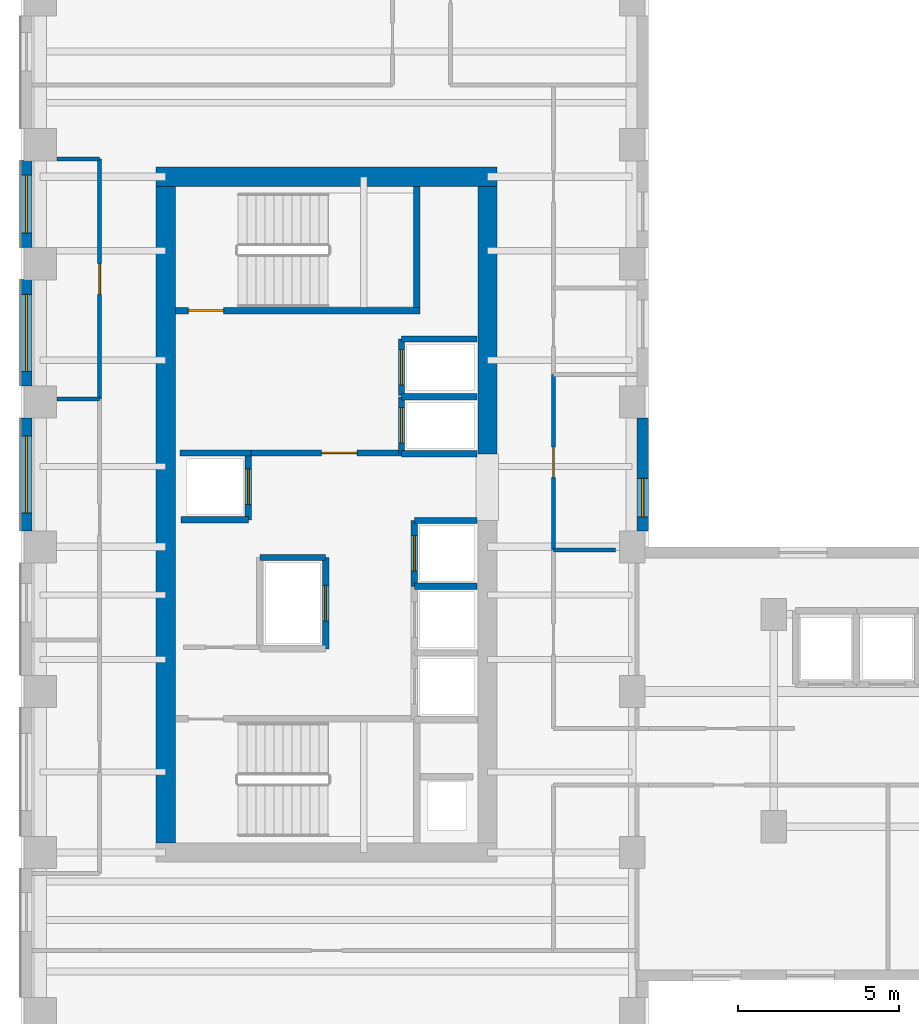
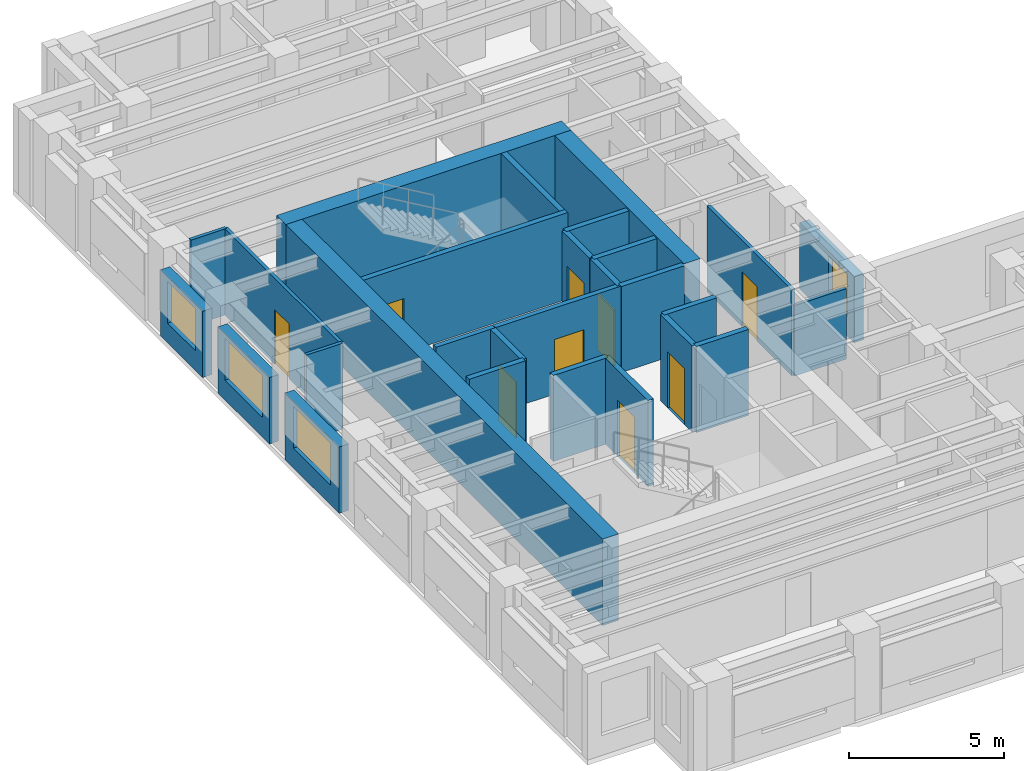
# One storey, part 6 of 12: 28 walls, 9 doors, 4 windows, 13 openings.
"""IFC4 building model written with IfcOpenShell, lengths in metres."""

from ifc_helpers import new_model, si_unit, direction, frame, frame_2d, origin, place, context, subcontext, project, spatial, rectangle, extrude, source, transform, mapped, material, layer, layer_set, type_object, element, fill, save


model = new_model("IFC4")

# Units and contexts
model_context = context("Model", 3, precision=1e-05, world=origin(), true_north=direction((0.0, 1.0)))
body_context = subcontext(model_context, "Body", "Model", "MODEL_VIEW")
ifc_project = project(units=[si_unit("LENGTHUNIT", "METRE"), si_unit("AREAUNIT", "SQUARE_METRE"), si_unit("VOLUMEUNIT", "CUBIC_METRE"), si_unit("PLANEANGLEUNIT", "RADIAN"), si_unit("MASSUNIT", "GRAM", prefix="KILO")], contexts=[model_context])

# Site, building, storey
site_placement = place(None, origin())
site = spatial("IfcSite", under=ifc_project, at=site_placement, CompositionType="ELEMENT")
building_placement = place(site_placement, origin())
building = spatial("IfcBuilding", under=site, at=building_placement, Name="Kharzan Plaza Tower", CompositionType="ELEMENT")
storey_placement = place(building_placement, frame((0.0, 0.0, 146.699951171875)))
storey = spatial("IfcBuildingStorey", under=building, at=storey_placement, Name="L39", CompositionType="ELEMENT", Elevation=146.699951171875)

# Wall, opening, window
ifc_material_1 = material(Name="Concrete C40/50", Category="concrete")
ifc_layer_1 = layer(ifc_material_1, 0.35009765625)
ifc_layer_set_1 = layer_set([ifc_layer_1], Name="Concrete C40/50")
wall_type_1 = type_object("IfcWallType", Name="WL-EXT-MAS-Z3", PredefinedType="SOLIDWALL", material=ifc_layer_set_1)
wall_1_placement = place(storey_placement, frame((0.175048828125, 30.001953125, 0.0), z_axis=(0.0, 0.0, 1.0), x_axis=(0.0, -1.0, 0.0)))
wall_1 = element("IfcWall", 1, at=wall_1_placement, inside=storey, type_object=wall_type_1, Name="L39 Masonry-Frame Exterior Wall 12", PredefinedType="SOLIDWALL", context=body_context, shape_type="SweptSolid", body=[
    extrude(rectangle(XDim=2.703857421875, YDim=0.35009765625, at=frame_2d((1.35205078125, 0.0))), origin(), (0.0, 0.0, 1.0), 2.612060546875),
])
opening_1_placement = place(wall_1_placement, frame((0.451904296875, 0.0, 0.780029296875)))
opening_1 = element("IfcOpeningElement", 2, at=opening_1_placement, cuts=wall_1, Name="Opening W1", PredefinedType="OPENING", context=body_context, shape_type="SweptSolid", body=[
    extrude(rectangle(XDim=1.800048828125, YDim=1.652099609375, at=frame_2d((0.89990234375, 0.826171875))), frame((0.0, 0.18505859375, 0.0), z_axis=(0.0, -1.0, 0.0), x_axis=(1.0, 0.0, 0.0)), (0.0, 0.0, 1.0), 0.3701171875),
])
ifc_material_2 = material(Name="Low-E Double Glazing", Category="glass")
window_type_1 = type_object("IfcWindowType", Name="WN-REC-1800x2100", PartitioningType="SINGLE_PANEL", PredefinedType="WINDOW", material=ifc_material_2)
shared_shape_1 = source(origin(), body_context, "Body", "SweptSolid", [
    extrude(rectangle(XDim=1.800048828125, YDim=1.652099609375, at=frame_2d((0.89990234375, 0.826171875))), frame((0.0, 0.030029296875, 0.0), z_axis=(0.0, -1.0, 0.0), x_axis=(1.0, 0.0, 0.0)), (0.0, 0.0, 1.0), 0.06005859375),
])
window_1_placement = place(opening_1_placement, origin())
window_1 = element("IfcWindow", 3, at=window_1_placement, inside=storey, type_object=window_type_1, Name="L39 Recessed Solar-Control Window 12-1", OverallHeight=1.652099609375, OverallWidth=1.800048828125, PartitioningType="SINGLE_PANEL", PredefinedType="WINDOW", context=body_context, shape_type="MappedRepresentation", body=[
    mapped(shared_shape_1, transform((0.0, 0.0, 0.0), x_axis=(1.0, 0.0, 0.0), y_axis=(0.0, 1.0, 0.0), z_axis=(0.0, 0.0, 1.0))),
])
fill(opening_1, window_1)

wall_2_placement = place(storey_placement, frame((0.175048828125, 26.302001953125, 0.0), z_axis=(0.0, 0.0, 1.0), x_axis=(0.0, -1.0, 0.0)))
wall_2 = element("IfcWall", 4, at=wall_2_placement, inside=storey, type_object=wall_type_1, Name="L39 Masonry-Frame Exterior Wall 13", PredefinedType="SOLIDWALL", context=body_context, shape_type="SweptSolid", body=[
    extrude(rectangle(XDim=3.303955078125, YDim=0.35009765625, at=frame_2d((1.65185546875, 0.0))), origin(), (0.0, 0.0, 1.0), 2.612060546875),
])
opening_2_placement = place(wall_2_placement, frame((0.451904296875, 0.0, 0.780029296875)))
opening_2 = element("IfcOpeningElement", 5, at=opening_2_placement, cuts=wall_2, Name="Opening W2", PredefinedType="OPENING", context=body_context, shape_type="SweptSolid", body=[
    extrude(rectangle(XDim=2.39990234375, YDim=1.652099609375, at=frame_2d((1.199951171875, 0.826171875))), frame((0.0, 0.18505859375, 0.0), z_axis=(0.0, -1.0, 0.0), x_axis=(1.0, 0.0, 0.0)), (0.0, 0.0, 1.0), 0.3701171875),
])
window_type_2 = type_object("IfcWindowType", Name="WN-REC-2400x2100", PartitioningType="SINGLE_PANEL", PredefinedType="WINDOW", material=ifc_material_2)
shared_shape_2 = source(origin(), body_context, "Body", "SweptSolid", [
    extrude(rectangle(XDim=2.39990234375, YDim=1.652099609375, at=frame_2d((1.199951171875, 0.826171875))), frame((0.0, 0.030029296875, 0.0), z_axis=(0.0, -1.0, 0.0), x_axis=(1.0, 0.0, 0.0)), (0.0, 0.0, 1.0), 0.06005859375),
])
window_2_placement = place(opening_2_placement, origin())
window_2 = element("IfcWindow", 6, at=window_2_placement, inside=storey, type_object=window_type_2, Name="L39 Wide Recessed Solar-Control Window 13-1", OverallHeight=1.652099609375, OverallWidth=2.39990234375, PartitioningType="SINGLE_PANEL", PredefinedType="WINDOW", context=body_context, shape_type="MappedRepresentation", body=[
    mapped(shared_shape_2, transform((0.0, 0.0, 0.0), x_axis=(1.0, 0.0, 0.0), y_axis=(0.0, 1.0, 0.0), z_axis=(0.0, 0.0, 1.0))),
])
fill(opening_2, window_2)

wall_3_placement = place(storey_placement, frame((0.175048828125, 22.001953125, 0.0), z_axis=(0.0, 0.0, 1.0), x_axis=(0.0, -1.0, 0.0)))
wall_3 = element("IfcWall", 7, at=wall_3_placement, inside=storey, type_object=wall_type_1, Name="L39 Masonry-Frame Exterior Wall 14", PredefinedType="SOLIDWALL", context=body_context, shape_type="SweptSolid", body=[
    extrude(rectangle(XDim=3.50390625, YDim=0.35009765625, at=frame_2d((1.751953125, 0.0))), origin(), (0.0, 0.0, 1.0), 2.612060546875),
])
opening_3_placement = place(wall_3_placement, frame((0.552001953125, 0.0, 0.780029296875)))
opening_3 = element("IfcOpeningElement", 8, at=opening_3_placement, cuts=wall_3, Name="Opening W2", PredefinedType="OPENING", context=body_context, shape_type="SweptSolid", body=[
    extrude(rectangle(XDim=2.39990234375, YDim=1.652099609375, at=frame_2d((1.199951171875, 0.826171875))), frame((0.0, 0.18505859375, 0.0), z_axis=(0.0, -1.0, 0.0), x_axis=(1.0, 0.0, 0.0)), (0.0, 0.0, 1.0), 0.3701171875),
])
window_3_placement = place(opening_3_placement, origin())
window_3 = element("IfcWindow", 9, at=window_3_placement, inside=storey, type_object=window_type_2, Name="L39 Wide Recessed Solar-Control Window 14-1", OverallHeight=1.652099609375, OverallWidth=2.39990234375, PartitioningType="SINGLE_PANEL", PredefinedType="WINDOW", context=body_context, shape_type="MappedRepresentation", body=[
    mapped(shared_shape_2, transform((0.0, 0.0, 0.0), x_axis=(1.0, 0.0, 0.0), y_axis=(0.0, 1.0, 0.0), z_axis=(0.0, 0.0, 1.0))),
])
fill(opening_3, window_3)

wall_4_placement = place(storey_placement, frame((19.324951171875, 18.498046875, 0.0), z_axis=(0.0, 0.0, 1.0), x_axis=(0.0, 1.0, 0.0)))
wall_4 = element("IfcWall", 10, at=wall_4_placement, inside=storey, type_object=wall_type_1, Name="L39 Masonry-Frame Exterior Wall 45", PredefinedType="SOLIDWALL", context=body_context, shape_type="SweptSolid", body=[
    extrude(rectangle(XDim=3.50390625, YDim=0.35009765625, at=frame_2d((1.751953125, 0.0))), origin(), (0.0, 0.0, 1.0), 2.612060546875),
])
opening_4_placement = place(wall_4_placement, frame((0.4326171875, 0.0, 0.780029296875)))
opening_4 = element("IfcOpeningElement", 11, at=opening_4_placement, cuts=wall_4, Name="Opening W3", PredefinedType="OPENING", context=body_context, shape_type="SweptSolid", body=[
    extrude(rectangle(XDim=1.199951171875, YDim=1.652099609375, at=frame_2d((0.60009765625, 0.826171875))), frame((0.0, 0.18505859375, 0.0), z_axis=(0.0, -1.0, 0.0), x_axis=(1.0, 0.0, 0.0)), (0.0, 0.0, 1.0), 0.3701171875),
])
window_type_3 = type_object("IfcWindowType", Name="WN-REC-1200x2100", PartitioningType="SINGLE_PANEL", PredefinedType="WINDOW", material=ifc_material_2)
shared_shape_3 = source(origin(), body_context, "Body", "SweptSolid", [
    extrude(rectangle(XDim=1.199951171875, YDim=1.652099609375, at=frame_2d((0.60009765625, 0.826171875))), frame((0.0, 0.030029296875, 0.0), z_axis=(0.0, -1.0, 0.0), x_axis=(1.0, 0.0, 0.0)), (0.0, 0.0, 1.0), 0.06005859375),
])
window_4_placement = place(opening_4_placement, origin())
window_4 = element("IfcWindow", 12, at=window_4_placement, inside=storey, type_object=window_type_3, Name="L39 Recessed Solar-Control Window 45-1", OverallHeight=1.652099609375, OverallWidth=1.199951171875, PartitioningType="SINGLE_PANEL", PredefinedType="WINDOW", context=body_context, shape_type="MappedRepresentation", body=[
    mapped(shared_shape_3, transform((0.0, 0.0, 0.0), x_axis=(1.0, 0.0, 0.0), y_axis=(0.0, 1.0, 0.0), z_axis=(0.0, 0.0, 1.0))),
])
fill(opening_4, window_4)

# Wall, opening, door
ifc_layer_2 = layer(ifc_material_1, 0.179931640625)
ifc_layer_set_2 = layer_set([ifc_layer_2], Name="Concrete C40/50")
wall_type_2 = type_object("IfcWallType", Name="WL-INT-FIRE-180", PredefinedType="PARTITIONING", material=ifc_layer_set_2)
wall_5_placement = place(storey_placement, frame((7.14990234375, 20.919921875, 0.0), z_axis=(0.0, 0.0, 1.0), x_axis=(1.0, 0.0, 0.0)))
wall_5 = element("IfcWall", 13, at=wall_5_placement, inside=storey, type_object=wall_type_2, Name="L39 Interior Partition CA-FF-S", PredefinedType="PARTITIONING", context=body_context, shape_type="SweptSolid", body=[
    extrude(rectangle(XDim=4.68017578125, YDim=0.179931640625, at=frame_2d((2.340087890625, 0.0))), origin(), (0.0, 0.0, 1.0), 3.385009765625),
])
opening_5_placement = place(wall_5_placement, frame((2.199951171875, 0.0, 0.0)))
opening_5 = element("IfcOpeningElement", 14, at=opening_5_placement, cuts=wall_5, Name="Opening FD1", PredefinedType="OPENING", context=body_context, shape_type="SweptSolid", body=[
    extrude(rectangle(XDim=1.10009765625, YDim=2.14990234375, at=frame_2d((0.550048828125, 1.074951171875))), frame((0.0, 0.099853515625, 0.0), z_axis=(0.0, -1.0, 0.0), x_axis=(1.0, 0.0, 0.0)), (0.0, 0.0, 1.0), 0.199951171875),
])
ifc_material_3 = material(Name="Fire-Rated Acoustic Vision-Panel Steel", Category="steel")
door_type_1 = type_object("IfcDoorType", Name="DR-FIRE-LOBBY", OperationType="NOTDEFINED", PredefinedType="DOOR", material=ifc_material_3)
shared_shape_4 = source(origin(), body_context, "Body", "SweptSolid", [
    extrude(rectangle(XDim=1.10009765625, YDim=2.14990234375, at=frame_2d((0.550048828125, 1.074951171875))), frame((0.0, 0.02490234375, 0.0), z_axis=(0.0, -1.0, 0.0), x_axis=(1.0, 0.0, 0.0)), (0.0, 0.0, 1.0), 0.050048828125),
])
door_1_placement = place(opening_5_placement, origin())
door_1 = element("IfcDoor", 15, at=door_1_placement, inside=storey, type_object=door_type_1, Name="L39 Firefighting Lobby Door", OperationType="SINGLE_SWING_LEFT", OverallHeight=2.14990234375, OverallWidth=1.10009765625, PredefinedType="DOOR", context=body_context, shape_type="MappedRepresentation", body=[
    mapped(shared_shape_4, transform((0.0, 0.0, 0.0), x_axis=(1.0, 0.0, 0.0), y_axis=(0.0, 1.0, 0.0), z_axis=(0.0, 0.0, 1.0))),
])
fill(opening_5, door_1)

ifc_material_4 = material(Name="Fire-Rated Gypsum Board Partition", Category="gypsum")
ifc_layer_3 = layer(ifc_material_4, 0.125)
ifc_layer_set_3 = layer_set([ifc_layer_3], Name="Fire-Rated Gypsum Board Partition")
wall_type_3 = type_object("IfcWallType", Name="WL-INT-PART-125", PredefinedType="PARTITIONING", material=ifc_layer_set_3)
wall_6_placement = place(storey_placement, frame((16.550048828125, 17.89990234375, 0.0), z_axis=(0.0, 0.0, 1.0), x_axis=(0.0, 1.0, 0.0)))
wall_6 = element("IfcWall", 16, at=wall_6_placement, inside=storey, type_object=wall_type_3, Name="L39 Interior Partition SH-AEWN2", PredefinedType="PARTITIONING", context=body_context, shape_type="SweptSolid", body=[
    extrude(rectangle(XDim=5.4501953125, YDim=0.125, at=frame_2d((2.72509765625, 0.0))), origin(), (0.0, 0.0, 1.0), 3.385009765625),
])
opening_6_placement = place(wall_6_placement, frame((2.25, 0.0, 0.0)))
opening_6 = element("IfcOpeningElement", 17, at=opening_6_placement, cuts=wall_6, Name="Opening OD1", PredefinedType="OPENING", context=body_context, shape_type="SweptSolid", body=[
    extrude(rectangle(XDim=0.949951171875, YDim=2.14990234375, at=frame_2d((0.47509765625, 1.074951171875))), frame((0.0, 0.072509765625, 0.0), z_axis=(0.0, -1.0, 0.0), x_axis=(1.0, 0.0, 0.0)), (0.0, 0.0, 1.0), 0.14501953125),
])
ifc_material_5 = material(Name="Acoustic Solid-Core Stained Oak", Category="timber")
door_type_2 = type_object("IfcDoorType", Name="DR-OFF-SINGLE", OperationType="NOTDEFINED", PredefinedType="DOOR", material=ifc_material_5)
shared_shape_5 = source(origin(), body_context, "Body", "SweptSolid", [
    extrude(rectangle(XDim=0.949951171875, YDim=2.14990234375, at=frame_2d((0.47509765625, 1.074951171875))), frame((0.0, 0.02490234375, 0.0), z_axis=(0.0, -1.0, 0.0), x_axis=(1.0, 0.0, 0.0)), (0.0, 0.0, 1.0), 0.050048828125),
])
door_2_placement = place(opening_6_placement, origin())
door_2 = element("IfcDoor", 18, at=door_2_placement, inside=storey, type_object=door_type_2, Name="L39 Slot Studio Door", OperationType="SINGLE_SWING_LEFT", OverallHeight=2.14990234375, OverallWidth=0.949951171875, PredefinedType="DOOR", context=body_context, shape_type="MappedRepresentation", body=[
    mapped(shared_shape_5, transform((0.0, 0.0, 0.0), x_axis=(1.0, 0.0, 0.0), y_axis=(0.0, 1.0, 0.0), z_axis=(0.0, 0.0, 1.0))),
])
fill(opening_6, door_2)

wall_7_placement = place(storey_placement, frame((2.449951171875, 22.60009765625, 0.0), z_axis=(0.0, 0.0, 1.0), x_axis=(0.0, 1.0, 0.0)))
wall_7 = element("IfcWall", 19, at=wall_7_placement, inside=storey, type_object=wall_type_3, Name="L39 Interior Partition SH-WW-3", PredefinedType="PARTITIONING", context=body_context, shape_type="SweptSolid", body=[
    extrude(rectangle(XDim=7.449951171875, YDim=0.125, at=frame_2d((3.72509765625, 0.0))), origin(), (0.0, 0.0, 1.0), 3.385009765625),
])
opening_7_placement = place(wall_7_placement, frame((3.25, 0.0, 0.0)))
opening_7 = element("IfcOpeningElement", 20, at=opening_7_placement, cuts=wall_7, Name="Opening OD1", PredefinedType="OPENING", context=body_context, shape_type="SweptSolid", body=[
    extrude(rectangle(XDim=0.949951171875, YDim=2.14990234375, at=frame_2d((0.47509765625, 1.074951171875))), frame((0.0, 0.072509765625, 0.0), z_axis=(0.0, -1.0, 0.0), x_axis=(1.0, 0.0, 0.0)), (0.0, 0.0, 1.0), 0.14501953125),
])
door_3_placement = place(opening_7_placement, origin())
door_3 = element("IfcDoor", 21, at=door_3_placement, inside=storey, type_object=door_type_2, Name="L39 Staff Tea Pantry Door", OperationType="SINGLE_SWING_LEFT", OverallHeight=2.14990234375, OverallWidth=0.949951171875, PredefinedType="DOOR", context=body_context, shape_type="MappedRepresentation", body=[
    mapped(shared_shape_5, transform((0.0, 0.0, 0.0), x_axis=(1.0, 0.0, 0.0), y_axis=(0.0, 1.0, 0.0), z_axis=(0.0, 0.0, 1.0))),
])
fill(opening_7, door_3)

ifc_layer_4 = layer(ifc_material_1, 0.199951171875)
ifc_layer_set_4 = layer_set([ifc_layer_4], Name="Concrete C40/50")
wall_type_4 = type_object("IfcWallType", Name="WL-INT-SHAFT-200", PredefinedType="PARTITIONING", material=ifc_layer_set_4)
wall_8_placement = place(storey_placement, frame((11.830078125, 20.89990234375, 0.0), z_axis=(0.0, 0.0, 1.0), x_axis=(0.0, 1.0, 0.0)))
wall_8 = element("IfcWall", 22, at=wall_8_placement, inside=storey, type_object=wall_type_4, Name="L39 Interior Partition SHF-FFL-1-W", PredefinedType="PARTITIONING", context=body_context, shape_type="SweptSolid", body=[
    extrude(rectangle(XDim=1.760009765625, YDim=0.199951171875, at=frame_2d((0.8798828125, 0.0))), origin(), (0.0, 0.0, 1.0), 3.385009765625),
])
opening_8_placement = place(wall_8_placement, frame((0.330078125, 0.0, 0.0)))
opening_8 = element("IfcOpeningElement", 23, at=opening_8_placement, cuts=wall_8, Name="Opening LD", PredefinedType="OPENING", context=body_context, shape_type="SweptSolid", body=[
    extrude(rectangle(XDim=1.10009765625, YDim=2.199951171875, at=frame_2d((0.550048828125, 1.10009765625))), frame((0.0, 0.10986328125, 0.0), z_axis=(0.0, -1.0, 0.0), x_axis=(1.0, 0.0, 0.0)), (0.0, 0.0, 1.0), 0.219970703125),
])
ifc_material_6 = material(Name="Brushed Stainless Steel", Category="steel")
door_type_3 = type_object("IfcDoorType", Name="DR-LIFT-SLIDE", OperationType="SLIDING_TO_LEFT", PredefinedType="DOOR", material=ifc_material_6)
shared_shape_6 = source(origin(), body_context, "Body", "SweptSolid", [
    extrude(rectangle(XDim=1.10009765625, YDim=2.199951171875, at=frame_2d((0.550048828125, 1.10009765625))), frame((0.0, 0.02490234375, 0.0), z_axis=(0.0, -1.0, 0.0), x_axis=(1.0, 0.0, 0.0)), (0.0, 0.0, 1.0), 0.050048828125),
])
door_4_placement = place(opening_8_placement, origin())
door_4 = element("IfcDoor", 24, at=door_4_placement, inside=storey, type_object=door_type_3, Name="L39 Firefighting Lift FFL-1 Sliding Landing Door", OperationType="SLIDING_TO_LEFT", OverallHeight=2.199951171875, OverallWidth=1.10009765625, PredefinedType="DOOR", context=body_context, shape_type="MappedRepresentation", body=[
    mapped(shared_shape_6, transform((0.0, 0.0, 0.0), x_axis=(1.0, 0.0, 0.0), y_axis=(0.0, 1.0, 0.0), z_axis=(0.0, 0.0, 1.0))),
])
fill(opening_8, door_4)

wall_9_placement = place(storey_placement, frame((11.830078125, 22.699951171875, 0.0), z_axis=(0.0, 0.0, 1.0), x_axis=(0.0, 1.0, 0.0)))
wall_9 = element("IfcWall", 25, at=wall_9_placement, inside=storey, type_object=wall_type_4, Name="L39 Interior Partition SHF-FFL-2-W", PredefinedType="PARTITIONING", context=body_context, shape_type="SweptSolid", body=[
    extrude(rectangle(XDim=1.760009765625, YDim=0.199951171875, at=frame_2d((0.8798828125, 0.0))), origin(), (0.0, 0.0, 1.0), 3.385009765625),
])
opening_9_placement = place(wall_9_placement, frame((0.330078125, 0.0, 0.0)))
opening_9 = element("IfcOpeningElement", 26, at=opening_9_placement, cuts=wall_9, Name="Opening LD", PredefinedType="OPENING", context=body_context, shape_type="SweptSolid", body=[
    extrude(rectangle(XDim=1.10009765625, YDim=2.199951171875, at=frame_2d((0.550048828125, 1.10009765625))), frame((0.0, 0.10986328125, 0.0), z_axis=(0.0, -1.0, 0.0), x_axis=(1.0, 0.0, 0.0)), (0.0, 0.0, 1.0), 0.219970703125),
])
door_5_placement = place(opening_9_placement, origin())
door_5 = element("IfcDoor", 27, at=door_5_placement, inside=storey, type_object=door_type_3, Name="L39 Firefighting Lift FFL-2 Sliding Landing Door", OperationType="SLIDING_TO_LEFT", OverallHeight=2.199951171875, OverallWidth=1.10009765625, PredefinedType="DOOR", context=body_context, shape_type="MappedRepresentation", body=[
    mapped(shared_shape_6, transform((0.0, 0.0, 0.0), x_axis=(1.0, 0.0, 0.0), y_axis=(0.0, 1.0, 0.0), z_axis=(0.0, 0.0, 1.0))),
])
fill(opening_9, door_5)

wall_10_placement = place(storey_placement, frame((12.22998046875, 16.77001953125, 0.0), z_axis=(0.0, 0.0, 1.0), x_axis=(0.0, 1.0, 0.0)))
wall_10 = element("IfcWall", 28, at=wall_10_placement, inside=storey, type_object=wall_type_4, Name="L39 Interior Partition SHF-PL-H3-W", PredefinedType="PARTITIONING", context=body_context, shape_type="SweptSolid", body=[
    extrude(rectangle(XDim=2.050048828125, YDim=0.199951171875, at=frame_2d((1.02490234375, 0.0))), origin(), (0.0, 0.0, 1.0), 3.385009765625),
])
opening_10_placement = place(wall_10_placement, frame((0.47509765625, 0.0, 0.0)))
opening_10 = element("IfcOpeningElement", 29, at=opening_10_placement, cuts=wall_10, Name="Opening LD", PredefinedType="OPENING", context=body_context, shape_type="SweptSolid", body=[
    extrude(rectangle(XDim=1.10009765625, YDim=2.199951171875, at=frame_2d((0.550048828125, 1.10009765625))), frame((0.0, 0.10986328125, 0.0), z_axis=(0.0, -1.0, 0.0), x_axis=(1.0, 0.0, 0.0)), (0.0, 0.0, 1.0), 0.219970703125),
])
door_6_placement = place(opening_10_placement, origin())
door_6 = element("IfcDoor", 30, at=door_6_placement, inside=storey, type_object=door_type_3, Name="L39 High-Rise Passenger Lift PL-H3 Sliding Landing Door", OperationType="SLIDING_TO_LEFT", OverallHeight=2.199951171875, OverallWidth=1.10009765625, PredefinedType="DOOR", context=body_context, shape_type="MappedRepresentation", body=[
    mapped(shared_shape_6, transform((0.0, 0.0, 0.0), x_axis=(1.0, 0.0, 0.0), y_axis=(0.0, 1.0, 0.0), z_axis=(0.0, 0.0, 1.0))),
])
fill(opening_10, door_6)

wall_11_placement = place(storey_placement, frame((7.070068359375, 18.840087890625, 0.0), z_axis=(0.0, 0.0, 1.0), x_axis=(0.0, 1.0, 0.0)))
wall_11 = element("IfcWall", 31, at=wall_11_placement, inside=storey, type_object=wall_type_4, Name="L39 Interior Partition SHF-PL-H4-E", PredefinedType="PARTITIONING", context=body_context, shape_type="SweptSolid", body=[
    extrude(rectangle(XDim=2.059814453125, YDim=0.199951171875, at=frame_2d((1.02978515625, 0.0))), origin(), (0.0, 0.0, 1.0), 3.385009765625),
])
opening_11_placement = place(wall_11_placement, frame((0.47998046875, 0.0, 0.0)))
opening_11 = element("IfcOpeningElement", 32, at=opening_11_placement, cuts=wall_11, Name="Opening LD", PredefinedType="OPENING", context=body_context, shape_type="SweptSolid", body=[
    extrude(rectangle(XDim=1.10009765625, YDim=2.199951171875, at=frame_2d((0.550048828125, 1.10009765625))), frame((0.0, 0.10986328125, 0.0), z_axis=(0.0, -1.0, 0.0), x_axis=(1.0, 0.0, 0.0)), (0.0, 0.0, 1.0), 0.219970703125),
])
door_7_placement = place(opening_11_placement, origin())
door_7 = element("IfcDoor", 33, at=door_7_placement, inside=storey, type_object=door_type_3, Name="L39 High-Rise Passenger Lift PL-H4 Sliding Landing Door", OperationType="SLIDING_TO_LEFT", OverallHeight=2.199951171875, OverallWidth=1.10009765625, PredefinedType="DOOR", context=body_context, shape_type="MappedRepresentation", body=[
    mapped(shared_shape_6, transform((0.0, 0.0, 0.0), x_axis=(1.0, 0.0, 0.0), y_axis=(0.0, 1.0, 0.0), z_axis=(0.0, 0.0, 1.0))),
])
fill(opening_11, door_7)

wall_12_placement = place(storey_placement, frame((9.469970703125, 14.830078125, 0.0), z_axis=(0.0, 0.0, 1.0), x_axis=(0.0, 1.0, 0.0)))
wall_12 = element("IfcWall", 34, at=wall_12_placement, inside=storey, type_object=wall_type_4, Name="L39 Interior Partition SHF-SVL-1-E", PredefinedType="PARTITIONING", context=body_context, shape_type="SweptSolid", body=[
    extrude(rectangle(XDim=2.83984375, YDim=0.199951171875, at=frame_2d((1.419921875, 0.0))), origin(), (0.0, 0.0, 1.0), 3.385009765625),
])
opening_12_placement = place(wall_12_placement, frame((0.8701171875, 0.0, 0.0)))
opening_12 = element("IfcOpeningElement", 35, at=opening_12_placement, cuts=wall_12, Name="Opening LD", PredefinedType="OPENING", context=body_context, shape_type="SweptSolid", body=[
    extrude(rectangle(XDim=1.10009765625, YDim=2.199951171875, at=frame_2d((0.550048828125, 1.10009765625))), frame((0.0, 0.10986328125, 0.0), z_axis=(0.0, -1.0, 0.0), x_axis=(1.0, 0.0, 0.0)), (0.0, 0.0, 1.0), 0.219970703125),
])
door_8_placement = place(opening_12_placement, origin())
door_8 = element("IfcDoor", 36, at=door_8_placement, inside=storey, type_object=door_type_3, Name="L39 Service Lift SVL-1 Sliding Landing Door", OperationType="SLIDING_TO_LEFT", OverallHeight=2.199951171875, OverallWidth=1.10009765625, PredefinedType="DOOR", context=body_context, shape_type="MappedRepresentation", body=[
    mapped(shared_shape_6, transform((0.0, 0.0, 0.0), x_axis=(1.0, 0.0, 0.0), y_axis=(0.0, 1.0, 0.0), z_axis=(0.0, 0.0, 1.0))),
])
fill(opening_12, door_8)

ifc_material_7 = material(Name="Concrete C50/60", Category="concrete")
ifc_layer_5 = layer(ifc_material_7, 0.199951171875)
ifc_layer_set_5 = layer_set([ifc_layer_5], Name="Concrete C50/60")
wall_type_5 = type_object("IfcWallType", Name="WL-SHAFT-RC200", PredefinedType="SHEAR", material=ifc_layer_set_5)
wall_13_placement = place(storey_placement, frame((4.802001953125, 25.344970703125, 0.0), z_axis=(0.0, 0.0, 1.0), x_axis=(1.0, 0.0, 0.0)))
wall_13 = element("IfcWall", 37, at=wall_13_placement, inside=storey, type_object=wall_type_5, Name="L39 Stair ST-2 South RC Shaft Wall", PredefinedType="SHEAR", context=body_context, shape_type="SweptSolid", body=[
    extrude(rectangle(XDim=7.60302734375, YDim=0.199951171875, at=frame_2d((3.801513671875, 0.0))), origin(), (0.0, 0.0, 1.0), 3.400146484375),
])
opening_13_placement = place(wall_13_placement, frame((0.39990234375, 0.0, 0.0)))
opening_13 = element("IfcOpeningElement", 38, at=opening_13_placement, cuts=wall_13, Name="Opening SD1", PredefinedType="OPENING", context=body_context, shape_type="SweptSolid", body=[
    extrude(rectangle(XDim=1.10009765625, YDim=2.14990234375, at=frame_2d((0.550048828125, 1.074951171875))), frame((0.0, 0.10986328125, 0.0), z_axis=(0.0, -1.0, 0.0), x_axis=(1.0, 0.0, 0.0)), (0.0, 0.0, 1.0), 0.219970703125),
])
ifc_material_8 = material(Name="Fire-Rated Hollow Galvanized Steel", Category="steel")
door_type_4 = type_object("IfcDoorType", Name="DR-STAIR-FD120", OperationType="NOTDEFINED", PredefinedType="DOOR", material=ifc_material_8)
shared_shape_7 = source(origin(), body_context, "Body", "SweptSolid", [
    extrude(rectangle(XDim=1.10009765625, YDim=2.14990234375, at=frame_2d((0.550048828125, 1.074951171875))), frame((0.0, 0.02490234375, 0.0), z_axis=(0.0, -1.0, 0.0), x_axis=(1.0, 0.0, 0.0)), (0.0, 0.0, 1.0), 0.050048828125),
])
door_9_placement = place(opening_13_placement, origin())
door_9 = element("IfcDoor", 39, at=door_9_placement, inside=storey, type_object=door_type_4, Name="L39 Stair ST-2 Fire Exit Door", OperationType="SINGLE_SWING_RIGHT", OverallHeight=2.14990234375, OverallWidth=1.10009765625, PredefinedType="DOOR", context=body_context, shape_type="MappedRepresentation", body=[
    mapped(shared_shape_7, transform((0.0, 0.0, 0.0), x_axis=(1.0, 0.0, 0.0), y_axis=(0.0, 1.0, 0.0), z_axis=(0.0, 0.0, 1.0))),
])
fill(opening_13, door_9)

# Walls
shared_shape_8 = source(origin(), body_context, "Body", "SweptSolid", [
    extrude(rectangle(XDim=2.199951171875, YDim=0.179931640625, at=frame_2d((1.10009765625, 0.0))), origin(), (0.0, 0.0, 1.0), 3.385009765625),
])
wall_14_placement = place(storey_placement, frame((4.949951171875, 20.919921875, 0.0), z_axis=(0.0, 0.0, 1.0), x_axis=(1.0, 0.0, 0.0)))
element("IfcWall", 40, at=wall_14_placement, inside=storey, type_object=wall_type_2, Name="L39 Interior Partition CA-FF-SW", PredefinedType="PARTITIONING", context=body_context, shape_type="MappedRepresentation", body=[
    mapped(shared_shape_8, transform((0.0, 0.0, 0.0), x_axis=(1.0, 0.0, 0.0), y_axis=(0.0, 1.0, 0.0), z_axis=(0.0, 0.0, 1.0))),
])
shared_shape_9 = source(origin(), body_context, "Body", "SweptSolid", [
    extrude(rectangle(XDim=1.929931640625, YDim=0.125, at=frame_2d((0.96484375, 0.0))), origin(), (0.0, 0.0, 1.0), 2.77294921875),
])
wall_15_placement = place(storey_placement, frame((16.550048828125, 17.89990234375, 0.0), z_axis=(0.0, 0.0, 1.0), x_axis=(1.0, 0.0, 0.0)))
element("IfcWall", 41, at=wall_15_placement, inside=storey, type_object=wall_type_3, Name="L39 Interior Partition SH-AEH-179", PredefinedType="PARTITIONING", context=body_context, shape_type="MappedRepresentation", body=[
    mapped(shared_shape_9, transform((0.0, 0.0, 0.0), x_axis=(1.0, 0.0, 0.0), y_axis=(0.0, 1.0, 0.0), z_axis=(0.0, 0.0, 1.0))),
])
shared_shape_10 = source(origin(), body_context, "Body", "SweptSolid", [
    extrude(rectangle(XDim=2.33984375, YDim=0.199951171875, at=frame_2d((1.169921875, 0.0))), origin(), (0.0, 0.0, 1.0), 3.385009765625),
])
for number, where, z_axis, x_axis, name in (
    (42, (11.830078125, 22.659912109375, 0.0), (0.0, 0.0, 1.0), (1.0, 0.0, 0.0), "L39 Interior Partition SHF-FFL-1-N"),
    (43, (11.830078125, 20.89990234375, 0.0), (0.0, 0.0, 1.0), (1.0, 0.0, 0.0), "L39 Interior Partition SHF-FFL-1-S"),
    (44, (11.830078125, 24.4599609375, 0.0), (0.0, 0.0, 1.0), (1.0, 0.0, 0.0), "L39 Interior Partition SHF-FFL-2-N"),
):
    element("IfcWall", number, at=place(storey_placement, frame(where, z_axis=z_axis, x_axis=x_axis)), inside=storey, type_object=wall_type_4, Name=name, PredefinedType="PARTITIONING", context=body_context, shape_type="MappedRepresentation", body=[
        mapped(shared_shape_10, transform((0.0, 0.0, 0.0), x_axis=(1.0, 0.0, 0.0), y_axis=(0.0, 1.0, 0.0), z_axis=(0.0, 0.0, 1.0))),
    ])
shared_shape_11 = source(origin(), body_context, "Body", "SweptSolid", [
    extrude(rectangle(XDim=1.93994140625, YDim=0.199951171875, at=frame_2d((0.969970703125, 0.0))), origin(), (0.0, 0.0, 1.0), 3.385009765625),
])
for number, where, z_axis, x_axis, name in (
    (45, (12.22998046875, 16.77001953125, 0.0), (0.0, 0.0, 1.0), (1.0, 0.0, 0.0), "L39 Interior Partition SHF-PL-H2-N"),
    (46, (12.22998046875, 18.820068359375, 0.0), (0.0, 0.0, 1.0), (1.0, 0.0, 0.0), "L39 Interior Partition SHF-PL-H3-N"),
):
    element("IfcWall", number, at=place(storey_placement, frame(where, z_axis=z_axis, x_axis=x_axis)), inside=storey, type_object=wall_type_4, Name=name, PredefinedType="PARTITIONING", context=body_context, shape_type="MappedRepresentation", body=[
        mapped(shared_shape_11, transform((0.0, 0.0, 0.0), x_axis=(1.0, 0.0, 0.0), y_axis=(0.0, 1.0, 0.0), z_axis=(0.0, 0.0, 1.0))),
    ])
shared_shape_12 = source(origin(), body_context, "Body", "SweptSolid", [
    extrude(rectangle(XDim=2.090087890625, YDim=0.199951171875, at=frame_2d((1.044921875, 0.0))), origin(), (0.0, 0.0, 1.0), 3.385009765625),
])
wall_16_placement = place(storey_placement, frame((4.97998046875, 18.840087890625, 0.0), z_axis=(0.0, 0.0, 1.0), x_axis=(1.0, 0.0, 0.0)))
element("IfcWall", 47, at=wall_16_placement, inside=storey, type_object=wall_type_4, Name="L39 Interior Partition SHF-PL-H4-S", PredefinedType="PARTITIONING", context=body_context, shape_type="MappedRepresentation", body=[
    mapped(shared_shape_12, transform((0.0, 0.0, 0.0), x_axis=(1.0, 0.0, 0.0), y_axis=(0.0, 1.0, 0.0), z_axis=(0.0, 0.0, 1.0))),
])
shared_shape_13 = source(origin(), body_context, "Body", "SweptSolid", [
    extrude(rectangle(XDim=2.0400390625, YDim=0.199951171875, at=frame_2d((1.02001953125, 0.0))), origin(), (0.0, 0.0, 1.0), 3.385009765625),
])
wall_17_placement = place(storey_placement, frame((7.429931640625, 17.669921875, 0.0), z_axis=(0.0, 0.0, 1.0), x_axis=(1.0, 0.0, 0.0)))
element("IfcWall", 48, at=wall_17_placement, inside=storey, type_object=wall_type_4, Name="L39 Interior Partition SHF-SVL-1-N", PredefinedType="PARTITIONING", context=body_context, shape_type="MappedRepresentation", body=[
    mapped(shared_shape_13, transform((0.0, 0.0, 0.0), x_axis=(1.0, 0.0, 0.0), y_axis=(0.0, 1.0, 0.0), z_axis=(0.0, 0.0, 1.0))),
])
ifc_layer_6 = layer(ifc_material_7, 0.60009765625)
ifc_layer_set_6 = layer_set([ifc_layer_6], Name="Concrete C50/60")
wall_type_6 = type_object("IfcWallType", Name="WL-CORE-600", PredefinedType="SHEAR", material=ifc_layer_set_6)
shared_shape_14 = source(origin(), body_context, "Body", "SweptSolid", [
    extrude(rectangle(XDim=8.320068359375, YDim=0.60009765625, at=frame_2d((4.16015625, 0.0))), origin(), (0.0, 0.0, 1.0), 3.400146484375),
])
wall_18_placement = place(storey_placement, frame((14.5, 20.8798828125, 0.0), z_axis=(0.0, 0.0, 1.0), x_axis=(0.0, 1.0, 0.0)))
element("IfcWall", 49, at=wall_18_placement, inside=storey, type_object=wall_type_6, Name="L39 CORE-A east shear pier 2", PredefinedType="SHEAR", context=body_context, shape_type="MappedRepresentation", body=[
    mapped(shared_shape_14, transform((0.0, 0.0, 0.0), x_axis=(1.0, 0.0, 0.0), y_axis=(0.0, 1.0, 0.0), z_axis=(0.0, 0.0, 1.0))),
])
shared_shape_15 = source(origin(), body_context, "Body", "SweptSolid", [
    extrude(rectangle(XDim=10.60009765625, YDim=0.60009765625, at=frame_2d((5.300048828125, 0.0))), origin(), (0.0, 0.0, 1.0), 3.400146484375),
])
wall_19_placement = place(storey_placement, frame((4.199951171875, 29.5, 0.0), z_axis=(0.0, 0.0, 1.0), x_axis=(1.0, 0.0, 0.0)))
element("IfcWall", 50, at=wall_19_placement, inside=storey, type_object=wall_type_6, Name="L39 CORE-A north RC shear wall", PredefinedType="SHEAR", context=body_context, shape_type="MappedRepresentation", body=[
    mapped(shared_shape_15, transform((0.0, 0.0, 0.0), x_axis=(1.0, 0.0, 0.0), y_axis=(0.0, 1.0, 0.0), z_axis=(0.0, 0.0, 1.0))),
])
shared_shape_16 = source(origin(), body_context, "Body", "SweptSolid", [
    extrude(rectangle(XDim=20.39990234375, YDim=0.60009765625, at=frame_2d((10.199951171875, 0.0))), origin(), (0.0, 0.0, 1.0), 3.400146484375),
])
wall_20_placement = place(storey_placement, frame((4.5, 8.800048828125, 0.0), z_axis=(0.0, 0.0, 1.0), x_axis=(0.0, 1.0, 0.0)))
element("IfcWall", 51, at=wall_20_placement, inside=storey, type_object=wall_type_6, Name="L39 CORE-A west RC shear wall", PredefinedType="SHEAR", context=body_context, shape_type="MappedRepresentation", body=[
    mapped(shared_shape_16, transform((0.0, 0.0, 0.0), x_axis=(1.0, 0.0, 0.0), y_axis=(0.0, 1.0, 0.0), z_axis=(0.0, 0.0, 1.0))),
])
shared_shape_17 = source(origin(), body_context, "Body", "SweptSolid", [
    extrude(rectangle(XDim=1.329833984375, YDim=0.125, at=frame_2d((0.6650390625, 0.0))), origin(), (0.0, 0.0, 1.0), 3.385009765625),
])
for number, where, z_axis, x_axis, name in (
    (52, (1.1201171875, 30.050048828125, 0.0), (0.0, 0.0, 1.0), (1.0, 0.0, 0.0), "L39 Interior Partition SH-RWN0"),
    (53, (1.1201171875, 22.60009765625, 0.0), (0.0, 0.0, 1.0), (1.0, 0.0, 0.0), "L39 Interior Partition SH-WH-2"),
):
    element("IfcWall", number, at=place(storey_placement, frame(where, z_axis=z_axis, x_axis=x_axis)), inside=storey, type_object=wall_type_3, Name=name, PredefinedType="PARTITIONING", context=body_context, shape_type="MappedRepresentation", body=[
        mapped(shared_shape_17, transform((0.0, 0.0, 0.0), x_axis=(1.0, 0.0, 0.0), y_axis=(0.0, 1.0, 0.0), z_axis=(0.0, 0.0, 1.0))),
    ])
shared_shape_18 = source(origin(), body_context, "Body", "SweptSolid", [
    extrude(rectangle(XDim=3.7529296875, YDim=0.199951171875, at=frame_2d((1.87646484375, 0.0))), origin(), (0.0, 0.0, 1.0), 3.400146484375),
])
wall_21_placement = place(storey_placement, frame((12.304931640625, 25.445068359375, 0.0), z_axis=(0.0, 0.0, 1.0), x_axis=(0.0, 1.0, 0.0)))
element("IfcWall", 54, at=wall_21_placement, inside=storey, type_object=wall_type_5, Name="L39 Stair ST-2 East RC Shaft Wall", PredefinedType="SHEAR", context=body_context, shape_type="MappedRepresentation", body=[
    mapped(shared_shape_18, transform((0.0, 0.0, 0.0), x_axis=(1.0, 0.0, 0.0), y_axis=(0.0, 1.0, 0.0), z_axis=(0.0, 0.0, 1.0))),
])

save(model, "model.ifc")
